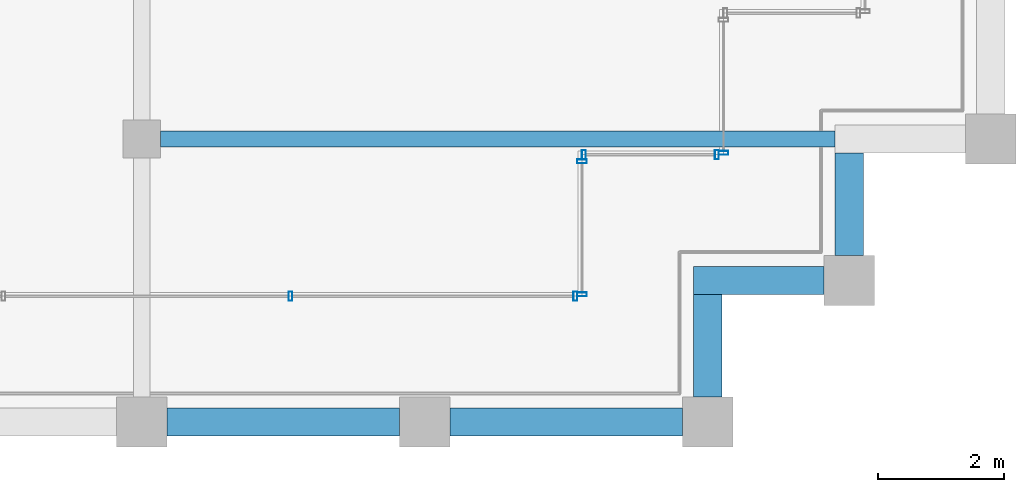
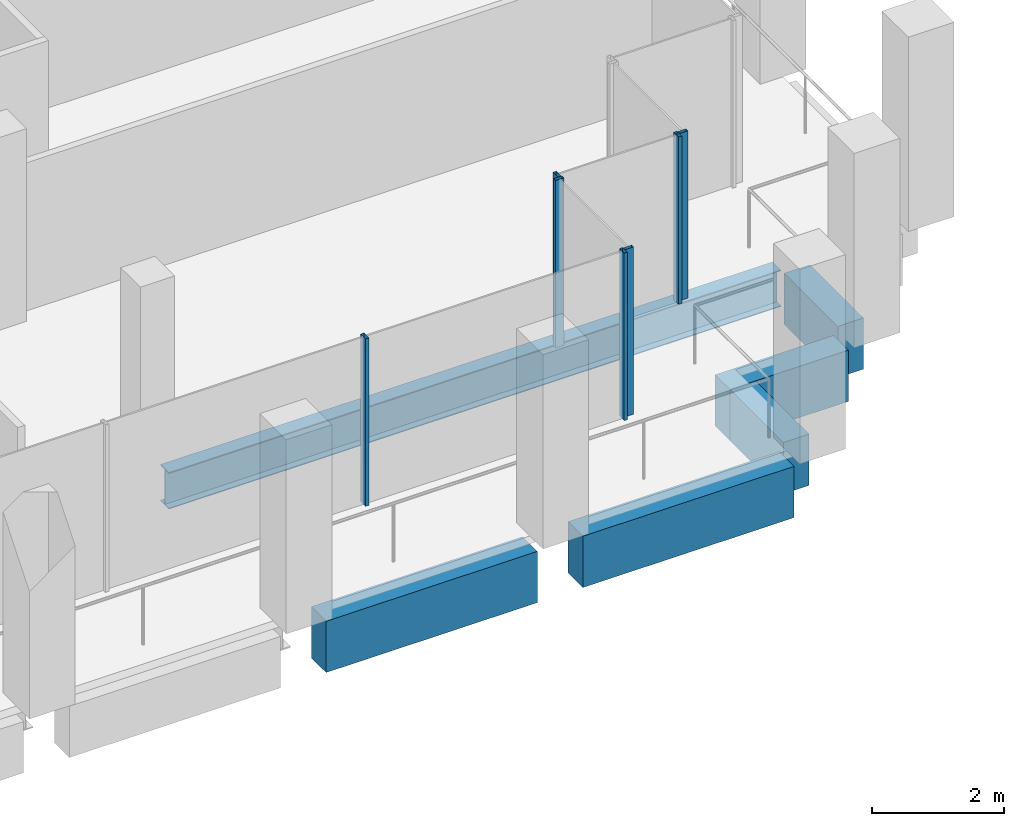
# One storey, part 14 of 62: 7 members, 6 beams, 4 elements without a shape of their own.
"""IFC4 building model written with IfcOpenShell, lengths in metres."""

import ifcopenshell
import ifcopenshell.guid

model = None  # the IFC model being written
_history = None  # IfcOwnerHistory: only IFC2X3 demands one
_inside = {}  # id of a spatial element -> (the spatial element, [elements in it])
_under = {}  # id of a project, library or spatial element -> (it, [spatial elements below it])
_declared = {}  # id of a project -> (the project, [libraries it declares])
_typed = {}  # id of a type object -> (the type object, [elements of that type])
_made_of = {}  # id of a material, layer set ... -> (it, [elements and type objects made of it])


def new_model(schema):
    """Start an empty IFC model of exactly this schema.

    Asked for "IFC4X3", IfcOpenShell would pick the latest addendum, in which some entities
    have other attributes; the version numbers below select the first issue.
    IFC2X3 requires an IfcOwnerHistory on every rooted entity: one is made here for all.
    """
    global model, _history
    if schema == "IFC4X3":
        model = ifcopenshell.file(schema_version=(4, 3, 0, 0))
    else:
        model = ifcopenshell.file(schema=schema)
    _inside.clear()
    _under.clear()
    _declared.clear()
    _typed.clear()
    _made_of.clear()
    _history = None
    if model.schema == "IFC2X3":
        org = make("IfcOrganization", Name="unknown")
        user = make(
            "IfcPersonAndOrganization",
            ThePerson=make("IfcPerson", FamilyName="unknown"),
            TheOrganization=org,
        )
        app = make(
            "IfcApplication",
            ApplicationDeveloper=org,
            Version="unknown",
            ApplicationFullName="unknown",
            ApplicationIdentifier="unknown",
        )
        _history = make(
            "IfcOwnerHistory",
            OwningUser=user,
            OwningApplication=app,
            ChangeAction="ADDED",
            CreationDate=0,
        )
    return model


def make(cls, **values):
    """One entity of the class cls with the attributes given. An attribute that is None is left unset."""
    return model.create_entity(
        cls, **{name: value for name, value in values.items() if value is not None}
    )


def rooted(cls, **values):
    """An entity with a GlobalId (a new one), such as an element, a storey or a relation."""
    return make(cls, GlobalId=ifcopenshell.guid.new(), OwnerHistory=_history, **values)


def si_unit(unit_type, name, prefix=None):
    """IfcSIUnit, for example si_unit("LENGTHUNIT", "METRE", prefix="MILLI")."""
    return make("IfcSIUnit", UnitType=unit_type, Prefix=prefix, Name=name)


def assignment(units):
    """IfcUnitAssignment: the units of a project."""
    return None if units is None else make("IfcUnitAssignment", Units=units)


def point(xyz):
    """IfcCartesianPoint."""
    return None if xyz is None else make("IfcCartesianPoint", Coordinates=xyz)


def direction(xyz):
    """IfcDirection."""
    return None if xyz is None else make("IfcDirection", DirectionRatios=xyz)


def frame(location, z_axis=None, x_axis=None):
    """IfcAxis2Placement3D, a coordinate frame: its origin and axes. An axis left out is left unset."""
    return make(
        "IfcAxis2Placement3D",
        Location=point(location),
        Axis=direction(z_axis),
        RefDirection=direction(x_axis),
    )


def frame_2d(location, x_axis=None):
    """IfcAxis2Placement2D, a coordinate frame in the plane: its origin and x axis."""
    return make(
        "IfcAxis2Placement2D", Location=point(location), RefDirection=direction(x_axis)
    )


def origin():
    """The frame at (0, 0, 0) with its axes left unset."""
    return frame((0.0, 0.0, 0.0))


def origin_2d():
    """The frame at (0, 0) in the plane with its x axis left unset."""
    return frame_2d((0.0, 0.0))


def place(relative_to, where):
    """IfcLocalPlacement: puts the frame where relative to a parent placement (None: the world)."""
    return make(
        "IfcLocalPlacement", PlacementRelTo=relative_to, RelativePlacement=where
    )


def context(
    kind, dimensions, precision=None, world=None, true_north=None, identifier=None
):
    """IfcGeometricRepresentationContext, for example the 3D "Model" context."""
    return make(
        "IfcGeometricRepresentationContext",
        ContextIdentifier=identifier,
        ContextType=kind,
        CoordinateSpaceDimension=dimensions,
        Precision=precision,
        WorldCoordinateSystem=world,
        TrueNorth=true_north,
    )


def subcontext(parent, identifier, kind, view, scale=None):
    """IfcGeometricRepresentationSubContext, for example "Body" below "Model"."""
    return make(
        "IfcGeometricRepresentationSubContext",
        ContextIdentifier=identifier,
        ContextType=kind,
        ParentContext=parent,
        TargetScale=scale,
        TargetView=view,
    )


def project(units=None, contexts=None):
    """IfcProject with its units and contexts."""
    return rooted(
        "IfcProject",
        Name="project",
        RepresentationContexts=contexts,
        UnitsInContext=assignment(units),
    )


def spatial(cls, under=None, at=None, **own):
    """A site, building, storey or space (cls), placed at a placement, below another one or the project."""
    s = rooted(cls, ObjectPlacement=at, **own)
    if under is not None:
        _under.setdefault(under.id(), (under, []))[1].append(s)
    return s


def profile(cls, at=None, kind="AREA", **sizes):
    """A parametric profile (cls). Its sizes go by their IFC names, for example OverallWidth=200.0."""
    return make(cls, ProfileType=kind, Position=at, **sizes)


def rectangle(**sizes):
    """IfcRectangleProfileDef."""
    return profile("IfcRectangleProfileDef", **sizes)


def hollow_rectangle(**sizes):
    """IfcRectangleHollowProfileDef."""
    return profile("IfcRectangleHollowProfileDef", **sizes)


def i_section(**sizes):
    """IfcIShapeProfileDef."""
    return profile("IfcIShapeProfileDef", **sizes)


def extrude(swept, where, along, depth):
    """IfcExtrudedAreaSolid: the profile swept, set in the frame where, extruded along a direction by depth."""
    return make(
        "IfcExtrudedAreaSolid",
        SweptArea=swept,
        Position=where,
        ExtrudedDirection=direction(along),
        Depth=depth,
    )


def shape(context_of_items, identifier, shape_type, items):
    """IfcShapeRepresentation: the items that make up one representation, for example the "Body"."""
    return make(
        "IfcShapeRepresentation",
        ContextOfItems=context_of_items,
        RepresentationIdentifier=identifier,
        RepresentationType=shape_type,
        Items=items,
    )


def material(Name=None, Category=None):
    """IfcMaterial."""
    return make("IfcMaterial", Name=Name, Category=Category)


def material_profile(
    of_material, cross_section, Name=None, Category=None, Priority=None
):
    """IfcMaterialProfile: a cross section and its material."""
    return make(
        "IfcMaterialProfile",
        Name=Name,
        Material=of_material,
        Profile=cross_section,
        Priority=Priority,
        Category=Category,
    )


def profile_set(profiles, Name=None, composite=None):
    """IfcMaterialProfileSet."""
    return make(
        "IfcMaterialProfileSet",
        Name=Name,
        MaterialProfiles=profiles,
        CompositeProfile=composite,
    )


def made_of(thing, what):
    """Note that an element or type object is made of a material, layer set ...; save() writes the relation."""
    if what is not None:
        _made_of.setdefault(what.id(), (what, []))[1].append(thing)
    return thing


def type_object(cls, material=None, **own):
    """A type object (cls), such as IfcWallType, which elements share."""
    return made_of(rooted(cls, **own), material)


def element(
    cls,
    number,
    at=None,
    inside=None,
    cuts=None,
    type_object=None,
    material=None,
    context=None,
    identifier="Body",
    shape_type=None,
    held_by="IfcProductDefinitionShape",
    body=None,
    shapes=None,
    **own,
):
    """One element of the class cls, such as IfcWall. Its Tag is "e" and its number.

    at: its placement. inside: the storey or other place that contains it. cuts: it is an
    opening in that element (IfcRelVoidsElement). A single representation is given by context,
    identifier, shape_type and body (its items); several are given by shapes. held_by: the class
    of the entity that holds the representations. save() writes the other relations.
    """
    e = rooted(cls, Tag="e%d" % number, ObjectPlacement=at, **own)
    if body is not None:
        shapes = [shape(context, identifier, shape_type, body)]
    if shapes is not None:
        e.Representation = make(held_by, Representations=shapes)
    if inside is not None:
        _inside.setdefault(inside.id(), (inside, []))[1].append(e)
    if cuts is not None:
        rooted(
            "IfcRelVoidsElement", RelatingBuildingElement=cuts, RelatedOpeningElement=e
        )
    if type_object is not None:
        _typed.setdefault(type_object.id(), (type_object, []))[1].append(e)
    return made_of(e, material)


def aggregate(whole, parts):
    """IfcRelAggregates: a whole, such as a stair, and the parts it consists of."""
    return rooted("IfcRelAggregates", RelatingObject=whole, RelatedObjects=parts)


def save(model, path):
    """Write the relations noted so far, then the file.

    IfcRelAggregates (storeys below a building ...), IfcRelContainedInSpatialStructure (elements
    in a storey), IfcRelDefinesByType, IfcRelAssociatesMaterial and IfcRelDeclares: one each for
    every whole, place, type object, material and project.
    """
    for whole, parts in _under.values():
        aggregate(whole, parts)
    for where, things in _inside.values():
        rooted(
            "IfcRelContainedInSpatialStructure",
            RelatedElements=things,
            RelatingStructure=where,
        )
    for kind, things in _typed.values():
        rooted("IfcRelDefinesByType", RelatedObjects=things, RelatingType=kind)
    for what, things in _made_of.values():
        rooted("IfcRelAssociatesMaterial", RelatedObjects=things, RelatingMaterial=what)
    for by, libraries in _declared.values():
        rooted("IfcRelDeclares", RelatingContext=by, RelatedDefinitions=libraries)
    model.write(path)


model = new_model("IFC4")

# Units and contexts
model_context = context("Model", 3, precision=1e-05, world=origin(), true_north=direction((0.0, 1.0)))
body_context = subcontext(model_context, "Body", "Model", "MODEL_VIEW")
ifc_project = project(units=[si_unit("LENGTHUNIT", "METRE"), si_unit("AREAUNIT", "SQUARE_METRE"), si_unit("VOLUMEUNIT", "CUBIC_METRE"), si_unit("PLANEANGLEUNIT", "RADIAN"), si_unit("MASSUNIT", "GRAM", prefix="KILO")], contexts=[model_context])

# Site, building, storey
site_placement = place(None, origin())
site = spatial("IfcSite", under=ifc_project, at=site_placement, CompositionType="ELEMENT")
building_placement = place(site_placement, origin())
building = spatial("IfcBuilding", under=site, at=building_placement, Name="Altepetl Exchange Towers", CompositionType="ELEMENT")
storey_placement = place(building_placement, frame((0.0, 0.0, 210.0)))
storey = spatial("IfcBuildingStorey", under=building, at=storey_placement, Name="L53", CompositionType="ELEMENT", Elevation=210.0)

# Beam
ifc_material_1 = material(Name="Steel S355", Category="steel")
ifc_material_profile_1 = material_profile(ifc_material_1, i_section(OverallWidth=0.2529296875, OverallDepth=0.677978515625, WebThickness=0.01171875, FlangeThickness=0.016357421875, at=origin_2d()), Name="W27X84")
ifc_profile_set_1 = profile_set([ifc_material_profile_1], Name="Steel S355")
beam_type_1 = type_object("IfcBeamType", Name="Floor beam W27X84", PredefinedType="BEAM", material=ifc_profile_set_1)
beam_1_placement = place(storey_placement, frame((58.800048828125, 31.5, -0.489013671875), z_axis=(1.0, 0.0, 0.0), x_axis=(0.0, 1.0, 0.0)))
element("IfcBeam", 1, at=beam_1_placement, inside=storey, type_object=beam_type_1, Name="bm:A:L53:006", PredefinedType="BEAM", context=body_context, shape_type="SweptSolid", body=[
    extrude(i_section(OverallWidth=0.2529296875, OverallDepth=0.677978515625, WebThickness=0.01171875, FlangeThickness=0.016357421875, at=origin_2d()), origin(), (0.0, 0.0, 1.0), 10.724853515625),
])

# Curtain wall, members
ifc_material_2 = material(Name="Aluminium 6063-T6 glazing", Category="aluminium")
curtain_wall_type = type_object("IfcCurtainWallType", Name="Loggia glazing system", PredefinedType="NOTDEFINED", material=ifc_material_2)
curtain_wall_1_placement = place(storey_placement, origin())
curtain_wall_1 = element("IfcCurtainWall", 2, at=curtain_wall_1_placement, inside=storey, type_object=curtain_wall_type, Name="CW1 run", PredefinedType="NOTDEFINED")
ifc_material_3 = material(Name="Aluminium 6063-T6", Category="aluminium")
ifc_material_profile_2 = material_profile(ifc_material_3, hollow_rectangle(XDim=0.06005859375, YDim=0.14990234375, WallThickness=0.0029296875, at=origin_2d()), Name="Mullion 60x150 aluminium")
ifc_profile_set_2 = profile_set([ifc_material_profile_2], Name="Aluminium 6063-T6")
member_type = type_object("IfcMemberType", Name="Mullion 60x150 aluminium", PredefinedType="MULLION", material=ifc_profile_set_2)
member_1_placement = place(storey_placement, frame((60.8642578125, 29.0, 0.0)))
member_1 = element("IfcMember", 3, at=member_1_placement, type_object=member_type, Name="MU1 mullion", PredefinedType="MULLION", context=body_context, shape_type="SweptSolid", body=[
    extrude(hollow_rectangle(XDim=0.06005859375, YDim=0.14990234375, WallThickness=0.0029296875, at=origin_2d()), origin(), (0.0, 0.0, 1.0), 3.10009765625),
])
member_2_placement = place(storey_placement, frame((65.39501953125, 29.0, 0.0)))
member_2 = element("IfcMember", 4, at=member_2_placement, type_object=member_type, Name="MU1 mullion", PredefinedType="MULLION", context=body_context, shape_type="SweptSolid", body=[
    extrude(hollow_rectangle(XDim=0.06005859375, YDim=0.14990234375, WallThickness=0.0029296875, at=origin_2d()), origin(), (0.0, 0.0, 1.0), 3.10009765625),
])
aggregate(curtain_wall_1, [member_1, member_2])

curtain_wall_2_placement = place(storey_placement, origin())
curtain_wall_2 = element("IfcCurtainWall", 5, at=curtain_wall_2_placement, inside=storey, type_object=curtain_wall_type, Name="CW1 run", PredefinedType="NOTDEFINED")
member_3_placement = place(storey_placement, frame((65.5, 29.030029296875, 0.0), z_axis=(0.0, 0.0, 1.0), x_axis=(0.0, 1.0, 0.0)))
member_3 = element("IfcMember", 6, at=member_3_placement, type_object=member_type, Name="MU1 mullion", PredefinedType="MULLION", context=body_context, shape_type="SweptSolid", body=[
    extrude(hollow_rectangle(XDim=0.06005859375, YDim=0.14990234375, WallThickness=0.0029296875, at=origin_2d()), origin(), (0.0, 0.0, 1.0), 3.10009765625),
])
member_4_placement = place(storey_placement, frame((65.5, 31.14501953125, 0.0), z_axis=(0.0, 0.0, 1.0), x_axis=(0.0, 1.0, 0.0)))
member_4 = element("IfcMember", 7, at=member_4_placement, type_object=member_type, Name="MU1 mullion", PredefinedType="MULLION", context=body_context, shape_type="SweptSolid", body=[
    extrude(hollow_rectangle(XDim=0.06005859375, YDim=0.14990234375, WallThickness=0.0029296875, at=origin_2d()), origin(), (0.0, 0.0, 1.0), 3.10009765625),
])
aggregate(curtain_wall_2, [member_3, member_4])

curtain_wall_3_placement = place(storey_placement, origin())
curtain_wall_3 = element("IfcCurtainWall", 8, at=curtain_wall_3_placement, inside=storey, type_object=curtain_wall_type, Name="CW1 run", PredefinedType="NOTDEFINED")
member_5_placement = place(storey_placement, frame((65.530029296875, 31.25, 0.0)))
member_5 = element("IfcMember", 9, at=member_5_placement, type_object=member_type, Name="MU1 mullion", PredefinedType="MULLION", context=body_context, shape_type="SweptSolid", body=[
    extrude(hollow_rectangle(XDim=0.06005859375, YDim=0.14990234375, WallThickness=0.0029296875, at=origin_2d()), origin(), (0.0, 0.0, 1.0), 3.10009765625),
])
member_6_placement = place(storey_placement, frame((67.64501953125, 31.25, 0.0)))
member_6 = element("IfcMember", 10, at=member_6_placement, type_object=member_type, Name="MU1 mullion", PredefinedType="MULLION", context=body_context, shape_type="SweptSolid", body=[
    extrude(hollow_rectangle(XDim=0.06005859375, YDim=0.14990234375, WallThickness=0.0029296875, at=origin_2d()), origin(), (0.0, 0.0, 1.0), 3.10009765625),
])
aggregate(curtain_wall_3, [member_5, member_6])

# Curtain wall, member
curtain_wall_4_placement = place(storey_placement, origin())
curtain_wall_4 = element("IfcCurtainWall", 11, at=curtain_wall_4_placement, inside=storey, type_object=curtain_wall_type, Name="CW1 run", PredefinedType="NOTDEFINED")
member_7_placement = place(storey_placement, frame((67.75, 31.280029296875, 0.0), z_axis=(0.0, 0.0, 1.0), x_axis=(0.0, 1.0, 0.0)))
member_7 = element("IfcMember", 12, at=member_7_placement, type_object=member_type, Name="MU1 mullion", PredefinedType="MULLION", context=body_context, shape_type="SweptSolid", body=[
    extrude(hollow_rectangle(XDim=0.06005859375, YDim=0.14990234375, WallThickness=0.0029296875, at=origin_2d()), origin(), (0.0, 0.0, 1.0), 3.10009765625),
])
aggregate(curtain_wall_4, [member_7])

# Beams
ifc_material_4 = material(Name="Concrete C50/60 precast with cantera amarilla facing", Category="concrete")
ifc_material_profile_3 = material_profile(ifc_material_4, rectangle(XDim=0.449951171875, YDim=0.949951171875, at=origin_2d()), Name="450 x 950")
ifc_profile_set_3 = profile_set([ifc_material_profile_3], Name="Concrete C50/60 precast with cantera amarilla facing")
beam_type_2 = type_object("IfcBeamType", Name="Spandrel beam 450x950 cantera amarilla", PredefinedType="SPANDREL", material=ifc_profile_set_3)
for number, where, z_axis, x_axis, name in (
    (13, (58.89990234375, 27.0, -0.625), (1.0, 0.0, 0.0), (0.0, 1.0, 0.0), "sp:A:L53:006"),
    (14, (63.39990234375, 27.0, -0.625), (1.0, 0.0, 0.0), (0.0, 1.0, 0.0), "sp:A:L53:007"),
):
    element("IfcBeam", number, at=place(storey_placement, frame(where, z_axis=z_axis, x_axis=x_axis)), inside=storey, type_object=beam_type_2, Name=name, PredefinedType="SPANDREL", context=body_context, shape_type="SweptSolid", body=[
        extrude(rectangle(XDim=0.449951171875, YDim=0.949951171875, at=origin_2d()), origin(), (0.0, 0.0, 1.0), 3.7001953125),
    ])
beam_2_placement = place(storey_placement, frame((67.5, 27.39990234375, -0.625), z_axis=(0.0, 1.0, 0.0), x_axis=(-1.0, 0.0, 0.0)))
element("IfcBeam", 15, at=beam_2_placement, inside=storey, type_object=beam_type_2, Name="sp:A:L53:008", PredefinedType="SPANDREL", context=body_context, shape_type="SweptSolid", body=[
    extrude(rectangle(XDim=0.449951171875, YDim=0.949951171875, at=origin_2d()), origin(), (0.0, 0.0, 1.0), 1.625),
])
beam_3_placement = place(storey_placement, frame((67.27490234375, 29.25, -0.625), z_axis=(1.0, 0.0, 0.0), x_axis=(0.0, 1.0, 0.0)))
element("IfcBeam", 16, at=beam_3_placement, inside=storey, type_object=beam_type_2, Name="sp:A:L53:009", PredefinedType="SPANDREL", context=body_context, shape_type="SweptSolid", body=[
    extrude(rectangle(XDim=0.449951171875, YDim=0.949951171875, at=origin_2d()), origin(), (0.0, 0.0, 1.0), 2.0751953125),
])
beam_4_placement = place(storey_placement, frame((69.75, 29.64990234375, -0.625), z_axis=(0.0, 1.0, 0.0), x_axis=(-1.0, 0.0, 0.0)))
element("IfcBeam", 17, at=beam_4_placement, inside=storey, type_object=beam_type_2, Name="sp:A:L53:010", PredefinedType="SPANDREL", context=body_context, shape_type="SweptSolid", body=[
    extrude(rectangle(XDim=0.449951171875, YDim=0.949951171875, at=origin_2d()), origin(), (0.0, 0.0, 1.0), 1.625),
])

save(model, "model.ifc")
